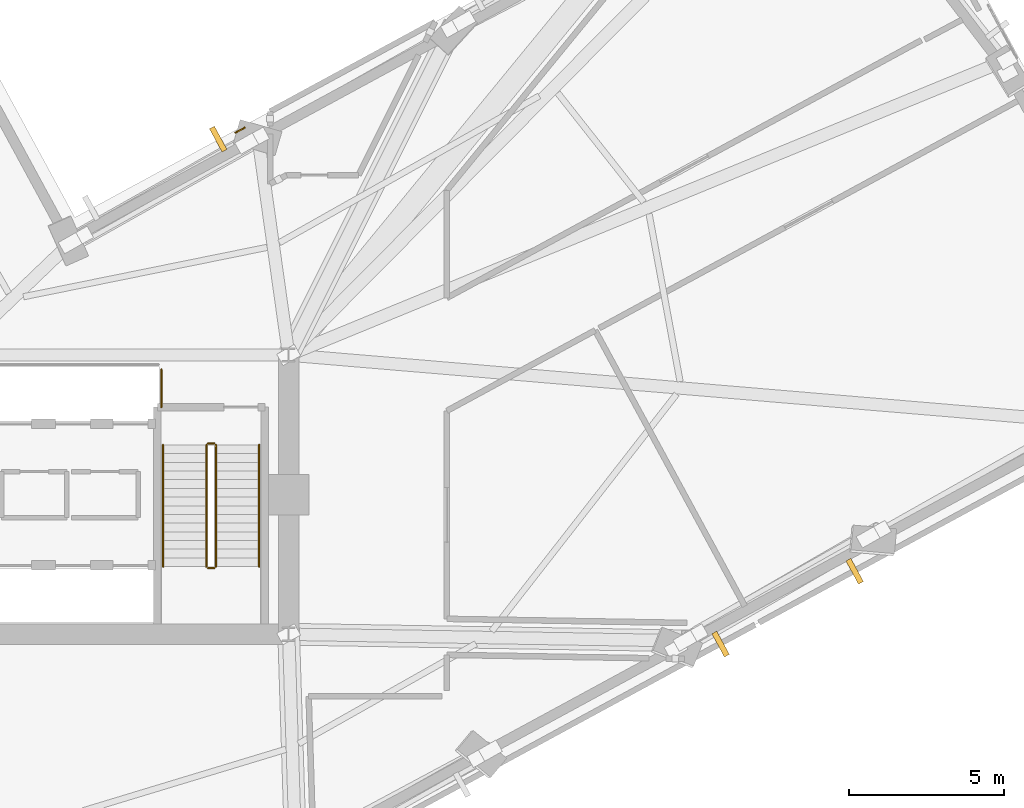
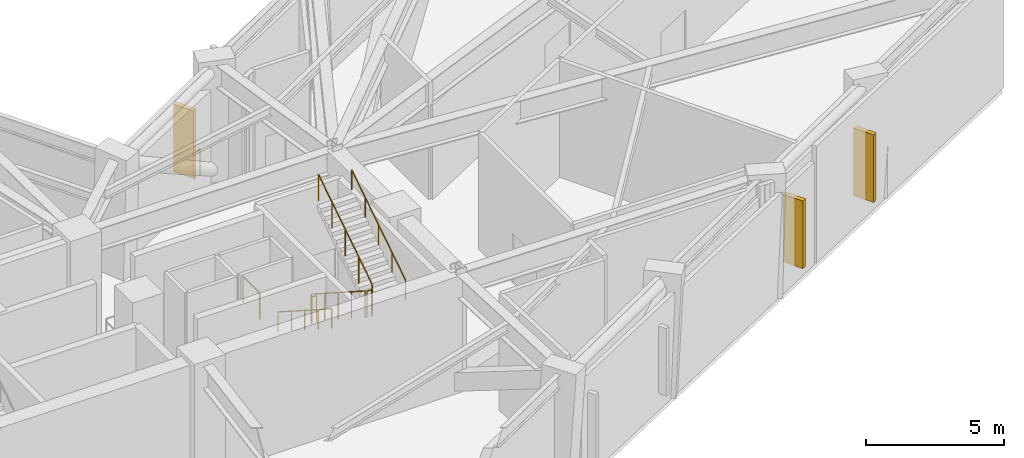
# One storey, part 13 of 15: 8 railings, 3 shading devices.
"""IFC4 building model written with IfcOpenShell, lengths in metres."""

from ifc_helpers import new_model, si_unit, direction, frame, origin, origin_2d, place, context, subcontext, project, spatial, rectangle, circle, extrude, material, layer, layer_set, type_object, element, save


model = new_model("IFC4")

# Units and contexts
model_context = context("Model", 3, precision=1e-05, world=origin(), true_north=direction((0.0, 1.0)))
body_context = subcontext(model_context, "Body", "Model", "MODEL_VIEW")
ifc_project = project(units=[si_unit("LENGTHUNIT", "METRE"), si_unit("AREAUNIT", "SQUARE_METRE"), si_unit("VOLUMEUNIT", "CUBIC_METRE"), si_unit("PLANEANGLEUNIT", "RADIAN"), si_unit("MASSUNIT", "GRAM", prefix="KILO")], contexts=[model_context])

# Site, building, storey
site_placement = place(None, origin())
site = spatial("IfcSite", under=ifc_project, at=site_placement, CompositionType="ELEMENT")
building_placement = place(site_placement, origin())
building = spatial("IfcBuilding", under=site, at=building_placement, Name="Gaonmaruhae Medical Tower", CompositionType="ELEMENT")
storey_placement = place(building_placement, frame((0.0, 0.0, 144.39990234375)))
storey = spatial("IfcBuildingStorey", under=building, at=storey_placement, Name="L34", CompositionType="ELEMENT", Elevation=144.39990234375)

# Railings
ifc_material_1 = material(Name="Stainless steel 316L and laminated safety glass", Category="steel")
ifc_layer = layer(ifc_material_1, 0.080078125)
ifc_layer_set = layer_set([ifc_layer], Name="Stainless steel 316L and laminated safety glass")
railing_type_1 = type_object("IfcRailingType", Name="GD-120 Outdoor Terrace Safety Glass & Steel Balustrade", PredefinedType="BALUSTRADE", material=ifc_layer_set)
railing_1_placement = place(storey_placement, frame((34.18701171875, 24.12890625, 0.0)))
element("IfcRailing", 1, at=railing_1_placement, inside=storey, type_object=railing_type_1, Name="L34 Perimeter Slab Edge Safety Balustrade 09", PredefinedType="BALUSTRADE", context=body_context, shape_type="SweptSolid", body=[
    extrude(circle(Radius=0.02392578125, at=origin_2d()), frame((0.0, 0.0, 1.17578125), z_axis=(-0.878689977778, -0.477392839234, 0.0), x_axis=(0.477392839234, -0.878689977778, 0.0)), (0.0, 0.0, 1.0), 0.340087890625),
    extrude(circle(Radius=0.02099609375, at=origin_2d()), origin(), (0.0, 0.0, 1.0), 1.15185546875),
    extrude(circle(Radius=0.02099609375, at=origin_2d()), frame((-0.298828125, -0.162353515625, 0.0)), (0.0, 0.0, 1.0), 1.15185546875),
])
ifc_material_2 = material(Name="Stainless steel 304 handrail", Category="steel")
railing_type_2 = type_object("IfcRailingType", Name="HR-092 Continuous Stainless Steel Stair Handrail", PredefinedType="HANDRAIL", material=ifc_material_2)
railing_2_placement = place(storey_placement, frame((31.550048828125, 13.89990234375, 0.18017578125)))
element("IfcRailing", 2, at=railing_2_placement, inside=storey, type_object=railing_type_2, Name="L34 ST-02 stair handrail 1", PredefinedType="HANDRAIL", context=body_context, shape_type="SweptSolid", body=[
    extrude(circle(Radius=0.02392578125, at=origin_2d()), frame((0.0, 0.0, 0.8759765625), z_axis=(0.0, -0.841171666519, 0.540768182723), x_axis=(1.0, 0.0, 0.0)), (0.0, 0.0, 1.0), 4.66015625),
    extrude(circle(Radius=0.02099609375, at=origin_2d()), origin(), (0.0, 0.0, 1.0), 0.851806640625),
    extrude(circle(Radius=0.02099609375, at=origin_2d()), frame((0.0, -0.97998046875, 0.6298828125)), (0.0, 0.0, 1.0), 0.851806640625),
    extrude(circle(Radius=0.02099609375, at=origin_2d()), frame((0.0, -1.9599609375, 1.260009765625)), (0.0, 0.0, 1.0), 0.851806640625),
    extrude(circle(Radius=0.02099609375, at=origin_2d()), frame((0.0, -2.93994140625, 1.89013671875)), (0.0, 0.0, 1.0), 0.851806640625),
    extrude(circle(Radius=0.02099609375, at=origin_2d()), frame((0.0, -3.919921875, 2.52001953125)), (0.0, 0.0, 1.0), 0.851806640625),
])
railing_3_placement = place(storey_placement, frame((34.64990234375, 9.97998046875, 2.880126953125)))
element("IfcRailing", 3, at=railing_3_placement, inside=storey, type_object=railing_type_2, Name="L34 ST-02 stair handrail 2", PredefinedType="HANDRAIL", context=body_context, shape_type="SweptSolid", body=[
    extrude(circle(Radius=0.02392578125, at=origin_2d()), frame((0.0, 0.0, 0.8759765625), z_axis=(0.0, 0.841171666519, 0.540768182723), x_axis=(-1.0, 0.0, 0.0)), (0.0, 0.0, 1.0), 4.66015625),
    extrude(circle(Radius=0.02099609375, at=origin_2d()), origin(), (0.0, 0.0, 1.0), 0.851806640625),
    extrude(circle(Radius=0.02099609375, at=origin_2d()), frame((0.0, 0.97998046875, 0.6298828125)), (0.0, 0.0, 1.0), 0.851806640625),
    extrude(circle(Radius=0.02099609375, at=origin_2d()), frame((0.0, 1.9599609375, 1.260009765625)), (0.0, 0.0, 1.0), 0.851806640625),
    extrude(circle(Radius=0.02099609375, at=origin_2d()), frame((0.0, 2.93994140625, 1.89013671875)), (0.0, 0.0, 1.0), 0.851806640625),
    extrude(circle(Radius=0.02099609375, at=origin_2d()), frame((0.0, 3.919921875, 2.52001953125)), (0.0, 0.0, 1.0), 0.851806640625),
])

# Shading devices
ifc_material_3 = material(Name="Pigmented coral precast concrete C45/55", Category="concrete")
shading_device_type = type_object("IfcShadingDeviceType", Name="SD-FIN1 Tower Vertical Coral Precast Shading Fin", PredefinedType="USERDEFINED", material=ifc_material_3)
for number, where, z_axis, x_axis, name in (
    (4, (53.84326171875, 9.830078125, 0.78271484375), (0.0, 0.0, 1.0), (-0.87882544052, -0.477143421935, 0.0), "L34 Vertical Coral Precast Shading Fin S05"),
    (5, (49.52099609375, 7.4833984375, 0.78271484375), (0.0, 0.0, 1.0), (-0.87882544052, -0.477143421935, 0.0), "L34 Vertical Coral Precast Shading Fin S05B"),
    (6, (33.32861328125, 23.759521484375, 0.58251953125), (0.0, 0.0, 1.0), (0.878817112662, 0.47715876026, 0.0), "L34 Vertical Coral Precast Shading Fin EN03B"),
):
    element("IfcShadingDevice", number, at=place(storey_placement, frame(where, z_axis=z_axis, x_axis=x_axis)), inside=storey, type_object=shading_device_type, Name=name, ObjectType="FIN", PredefinedType="USERDEFINED", context=body_context, shape_type="SweptSolid", body=[
        extrude(rectangle(XDim=0.179931640625, YDim=0.85009765625, at=origin_2d()), origin(), (0.0, 0.0, 1.0), 3.0),
    ])

# Railings
ifc_material_4 = material(Name="Stainless steel 304 balustrade", Category="steel")
railing_type_3 = type_object("IfcRailingType", Name="SG-112 Stair Well & Ramp Void Safety Balustrade", PredefinedType="BALUSTRADE", material=ifc_material_4)
railing_4_placement = place(storey_placement, frame((32.949951171875, 13.89990234375, 0.18017578125)))
element("IfcRailing", 7, at=railing_4_placement, inside=storey, type_object=railing_type_3, Name="L34 ST-02 stair guard 1", PredefinedType="BALUSTRADE", context=body_context, shape_type="SweptSolid", body=[
    extrude(circle(Radius=0.02392578125, at=origin_2d()), frame((0.0, 0.0, 1.17578125), z_axis=(0.0, -0.841171666519, 0.540768182723), x_axis=(1.0, 0.0, 0.0)), (0.0, 0.0, 1.0), 4.66015625),
    extrude(circle(Radius=0.02099609375, at=origin_2d()), origin(), (0.0, 0.0, 1.0), 1.15185546875),
    extrude(circle(Radius=0.02099609375, at=origin_2d()), frame((0.0, -0.97998046875, 0.6298828125)), (0.0, 0.0, 1.0), 1.15185546875),
    extrude(circle(Radius=0.02099609375, at=origin_2d()), frame((0.0, -1.9599609375, 1.260009765625)), (0.0, 0.0, 1.0), 1.15185546875),
    extrude(circle(Radius=0.02099609375, at=origin_2d()), frame((0.0, -2.93994140625, 1.89013671875)), (0.0, 0.0, 1.0), 1.15185546875),
    extrude(circle(Radius=0.02099609375, at=origin_2d()), frame((0.0, -3.919921875, 2.52001953125)), (0.0, 0.0, 1.0), 1.15185546875),
])
railing_5_placement = place(storey_placement, frame((33.0, 9.929931640625, 2.7001953125)))
element("IfcRailing", 8, at=railing_5_placement, inside=storey, type_object=railing_type_3, Name="L34 ST-02 stair guard 2", PredefinedType="BALUSTRADE", context=body_context, shape_type="SweptSolid", body=[
    extrude(circle(Radius=0.02392578125, at=origin_2d()), frame((0.0, 0.0, 1.17578125), z_axis=(1.0, 0.0, 0.0), x_axis=(0.0, 1.0, 0.0)), (0.0, 0.0, 1.0), 0.199951171875),
    extrude(circle(Radius=0.02099609375, at=origin_2d()), origin(), (0.0, 0.0, 1.0), 1.15185546875),
    extrude(circle(Radius=0.02099609375, at=origin_2d()), frame((0.199951171875, 0.0, 0.0)), (0.0, 0.0, 1.0), 1.15185546875),
])
railing_6_placement = place(storey_placement, frame((33.25, 9.97998046875, 2.880126953125)))
element("IfcRailing", 9, at=railing_6_placement, inside=storey, type_object=railing_type_3, Name="L34 ST-02 stair guard 3", PredefinedType="BALUSTRADE", context=body_context, shape_type="SweptSolid", body=[
    extrude(circle(Radius=0.02392578125, at=origin_2d()), frame((0.0, 0.0, 1.17578125), z_axis=(0.0, 0.841171666519, 0.540768182723), x_axis=(-1.0, 0.0, 0.0)), (0.0, 0.0, 1.0), 4.66015625),
    extrude(circle(Radius=0.02099609375, at=origin_2d()), origin(), (0.0, 0.0, 1.0), 1.15185546875),
    extrude(circle(Radius=0.02099609375, at=origin_2d()), frame((0.0, 0.97998046875, 0.6298828125)), (0.0, 0.0, 1.0), 1.15185546875),
    extrude(circle(Radius=0.02099609375, at=origin_2d()), frame((0.0, 1.9599609375, 1.260009765625)), (0.0, 0.0, 1.0), 1.15185546875),
    extrude(circle(Radius=0.02099609375, at=origin_2d()), frame((0.0, 2.93994140625, 1.89013671875)), (0.0, 0.0, 1.0), 1.15185546875),
    extrude(circle(Radius=0.02099609375, at=origin_2d()), frame((0.0, 3.919921875, 2.52001953125)), (0.0, 0.0, 1.0), 1.15185546875),
])
railing_7_placement = place(storey_placement, frame((33.0, 13.949951171875, 0.0)))
element("IfcRailing", 10, at=railing_7_placement, inside=storey, type_object=railing_type_3, Name="L34 ST-02 stair guard 4", PredefinedType="BALUSTRADE", context=body_context, shape_type="SweptSolid", body=[
    extrude(circle(Radius=0.02392578125, at=origin_2d()), frame((0.0, 0.0, 1.17578125), z_axis=(1.0, 0.0, 0.0), x_axis=(0.0, 1.0, 0.0)), (0.0, 0.0, 1.0), 0.199951171875),
    extrude(circle(Radius=0.02099609375, at=origin_2d()), origin(), (0.0, 0.0, 1.0), 1.15185546875),
    extrude(circle(Radius=0.02099609375, at=origin_2d()), frame((0.199951171875, 0.0, 0.0)), (0.0, 0.0, 1.0), 1.15185546875),
])
railing_8_placement = place(storey_placement, frame((31.4951171875, 16.330078125, 0.0)))
element("IfcRailing", 11, at=railing_8_placement, inside=storey, type_object=railing_type_3, Name="L34 Shaft Edge Safety Guard 36", PredefinedType="BALUSTRADE", context=body_context, shape_type="SweptSolid", body=[
    extrude(circle(Radius=0.02392578125, at=origin_2d()), frame((0.0, 0.0, 1.17578125), z_axis=(0.0, -1.0, 0.0), x_axis=(1.0, 0.0, 0.0)), (0.0, 0.0, 1.0), 1.2099609375),
    extrude(circle(Radius=0.02099609375, at=origin_2d()), origin(), (0.0, 0.0, 1.0), 1.15185546875),
    extrude(circle(Radius=0.02099609375, at=origin_2d()), frame((0.0, -1.2099609375, 0.0)), (0.0, 0.0, 1.0), 1.15185546875),
])

save(model, "model.ifc")
